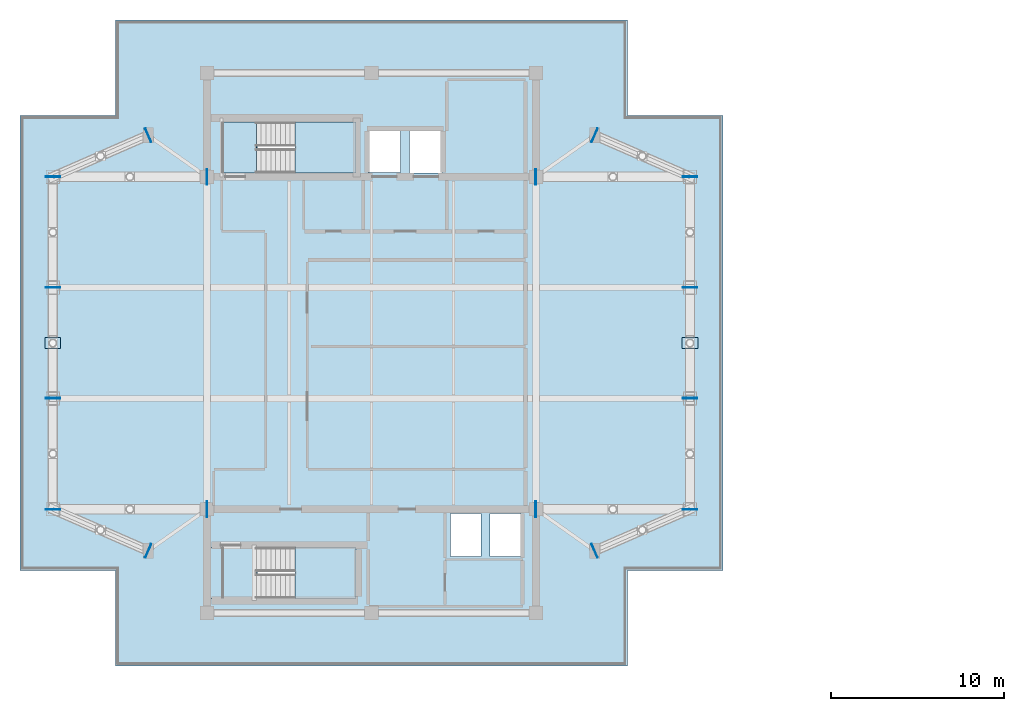
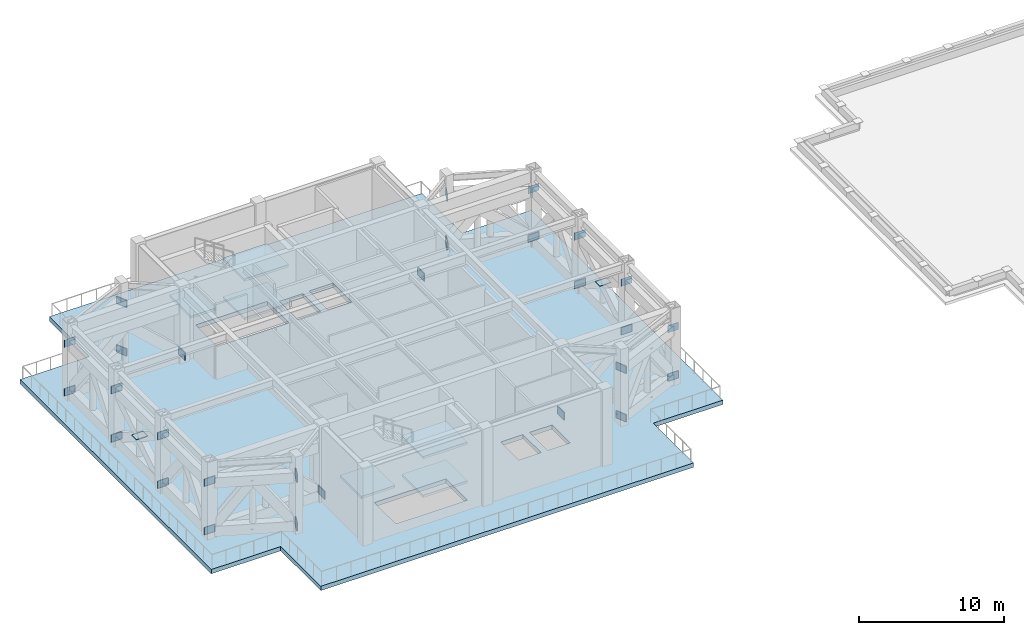
# One storey, part 4 of 11: 30 plates, 7 slabs, 2 elements without a shape of their own.
"""IFC4 building model written with IfcOpenShell, lengths in metres."""

from ifc_helpers import new_model, si_unit, direction, frame, origin, origin_2d, place, context, subcontext, project, spatial, polyline, rectangle, outline, extrude, material, layer, layer_set, type_object, element, aggregate, save


model = new_model("IFC4")

# Units and contexts
model_context = context("Model", 3, precision=1e-05, world=origin(), true_north=direction((0.0, 1.0)))
body_context = subcontext(model_context, "Body", "Model", "MODEL_VIEW")
ifc_project = project(units=[si_unit("LENGTHUNIT", "METRE"), si_unit("AREAUNIT", "SQUARE_METRE"), si_unit("VOLUMEUNIT", "CUBIC_METRE"), si_unit("PLANEANGLEUNIT", "RADIAN"), si_unit("MASSUNIT", "GRAM", prefix="KILO")], contexts=[model_context])

# Site, building, storey
site_placement = place(None, origin())
site = spatial("IfcSite", under=ifc_project, at=site_placement, CompositionType="ELEMENT")
building_placement = place(site_placement, origin())
building = spatial("IfcBuilding", under=site, at=building_placement, Name="Mirazonda Arch Towers", CompositionType="ELEMENT")
storey_placement = place(building_placement, frame((0.0, 0.0, 212.89990234375)))
storey = spatial("IfcBuildingStorey", under=building, at=storey_placement, Name="L61", CompositionType="ELEMENT", Elevation=212.89990234375)

# Plates
ifc_material_1 = material(Name="Steel ASTM A572 Grade 50", Category="steel")
ifc_layer_1 = layer(ifc_material_1, 0.035888671875, Name="PLATE-CAP-850x600x36")
ifc_layer_set_1 = layer_set([ifc_layer_1], Name="Steel ASTM A572 Grade 50")
plate_type_1 = type_object("IfcPlateType", Name="PLATE-CAP-850x600x36", PredefinedType="USERDEFINED", material=ifc_layer_set_1)
for number, where, z_axis, x_axis, name in (
    (1, (2.10009765625, 18.39208984375, 0.25), (0.0, 0.0, 1.0), (0.0, -1.0, 0.0), "Steel end closure plate NP-BLT-L61-T1-BC01A"),
    (2, (2.10009765625, 24.80810546875, 0.25), (0.0, 0.0, 1.0), (0.0, 1.0, 0.0), "Steel end closure plate NP-BLT-L61-T1-BC01B"),
    (3, (2.10009765625, 18.39208984375, 4.320068359375), (0.0, 0.0, 1.0), (0.0, -1.0, 0.0), "Steel end closure plate NP-BLT-L61-T1-TC01A"),
    (4, (2.10009765625, 24.80810546875, 4.320068359375), (0.0, 0.0, 1.0), (0.0, 1.0, 0.0), "Steel end closure plate NP-BLT-L61-T1-TC01B"),
    (5, (2.10009765625, 31.2080078125, 0.25), (0.0, 0.0, 1.0), (0.0, 1.0, 0.0), "Steel end closure plate NP-BLT-L61-T1-BC02B"),
    (6, (2.10009765625, 31.2080078125, 4.320068359375), (0.0, 0.0, 1.0), (0.0, 1.0, 0.0), "Steel end closure plate NP-BLT-L61-T1-TC02B"),
    (7, (2.10009765625, 37.60791015625, 0.25), (0.0, 0.0, 1.0), (0.0, 1.0, 0.0), "Steel end closure plate NP-BLT-L61-T1-BC03B"),
    (8, (2.10009765625, 37.60791015625, 4.320068359375), (0.0, 0.0, 1.0), (0.0, 1.0, 0.0), "Steel end closure plate NP-BLT-L61-T1-TC03B"),
    (9, (38.89990234375, 18.39208984375, 0.25), (0.0, 0.0, 1.0), (0.0, -1.0, 0.0), "Steel end closure plate NP-BLT-L61-T1-BC04A"),
    (10, (38.89990234375, 24.80810546875, 0.25), (0.0, 0.0, 1.0), (0.0, 1.0, 0.0), "Steel end closure plate NP-BLT-L61-T1-BC04B"),
    (11, (38.89990234375, 18.39208984375, 4.320068359375), (0.0, 0.0, 1.0), (0.0, -1.0, 0.0), "Steel end closure plate NP-BLT-L61-T1-TC04A"),
    (12, (38.89990234375, 24.80810546875, 4.320068359375), (0.0, 0.0, 1.0), (0.0, 1.0, 0.0), "Steel end closure plate NP-BLT-L61-T1-TC04B"),
    (13, (38.89990234375, 31.2080078125, 0.25), (0.0, 0.0, 1.0), (0.0, 1.0, 0.0), "Steel end closure plate NP-BLT-L61-T1-BC05B"),
    (14, (38.89990234375, 31.2080078125, 4.320068359375), (0.0, 0.0, 1.0), (0.0, 1.0, 0.0), "Steel end closure plate NP-BLT-L61-T1-TC05B"),
    (15, (38.89990234375, 37.60791015625, 0.25), (0.0, 0.0, 1.0), (0.0, 1.0, 0.0), "Steel end closure plate NP-BLT-L61-T1-BC06B"),
    (16, (38.89990234375, 37.60791015625, 4.320068359375), (0.0, 0.0, 1.0), (0.0, 1.0, 0.0), "Steel end closure plate NP-BLT-L61-T1-TC06B"),
    (17, (7.607421875, 15.996826171875, 0.25), (0.0, 0.0, 1.0), (0.916572226203, -0.399869171297, 0.0), "Steel end closure plate NP-BLT-L61-T1-BC07B"),
    (18, (7.607421875, 15.996826171875, 4.320068359375), (0.0, 0.0, 1.0), (0.916572226203, -0.399869171297, 0.0), "Steel end closure plate NP-BLT-L61-T1-TC07B"),
    (19, (33.392578125, 15.996826171875, 0.25), (0.0, 0.0, 1.0), (-0.916572226203, -0.399869171297, 0.0), "Steel end closure plate NP-BLT-L61-T1-BC08A"),
    (20, (33.392578125, 15.996826171875, 4.320068359375), (0.0, 0.0, 1.0), (-0.916572226203, -0.399869171297, 0.0), "Steel end closure plate NP-BLT-L61-T1-TC08A"),
    (21, (7.607421875, 40.003173828125, 0.25), (0.0, 0.0, 1.0), (0.916572226203, 0.399869171297, 0.0), "Steel end closure plate NP-BLT-L61-T1-BC09B"),
    (22, (7.607421875, 40.003173828125, 4.320068359375), (0.0, 0.0, 1.0), (0.916572226203, 0.399869171297, 0.0), "Steel end closure plate NP-BLT-L61-T1-TC09B"),
    (23, (33.392578125, 40.003173828125, 0.25), (0.0, 0.0, 1.0), (-0.916572226203, 0.399869171297, 0.0), "Steel end closure plate NP-BLT-L61-T1-BC10A"),
    (24, (33.392578125, 40.003173828125, 4.320068359375), (0.0, 0.0, 1.0), (-0.916572226203, 0.399869171297, 0.0), "Steel end closure plate NP-BLT-L61-T1-TC10A"),
):
    element("IfcPlate", number, at=place(storey_placement, frame(where, z_axis=z_axis, x_axis=x_axis)), inside=storey, type_object=plate_type_1, Name=name, ObjectType="CAP PLATE", PredefinedType="USERDEFINED", context=body_context, shape_type="SweptSolid", body=[
        extrude(rectangle(XDim=0.0400390625, YDim=0.85009765625, at=origin_2d()), origin(), (0.0, 0.0, 1.0), 0.60009765625),
    ])
ifc_layer_2 = layer(ifc_material_1, 0.031982421875, Name="PLATE-GUSSET-900x650x32")
ifc_layer_set_2 = layer_set([ifc_layer_2], Name="Steel ASTM A572 Grade 50")
plate_type_2 = type_object("IfcPlateType", Name="PLATE-GUSSET-900x650x32", PredefinedType="USERDEFINED", material=ifc_layer_set_2)
for number, where, z_axis, x_axis, name in (
    (25, (2.10009765625, 28.0, 2.572998046875), (0.0, 0.0, 1.0), (1.0, 0.0, 0.0), "Steel end closure plate NP-BLT-L61-T1-XND02"),
    (26, (38.89990234375, 28.0, 2.572998046875), (0.0, 0.0, 1.0), (1.0, 0.0, 0.0), "Steel end closure plate NP-BLT-L61-T1-XND05"),
):
    element("IfcPlate", number, at=place(storey_placement, frame(where, z_axis=z_axis, x_axis=x_axis)), inside=storey, type_object=plate_type_2, Name=name, ObjectType="GUSSET_PLATE", PredefinedType="USERDEFINED", context=body_context, shape_type="SweptSolid", body=[
        extrude(rectangle(XDim=0.89990234375, YDim=0.64990234375, at=origin_2d()), origin(), (0.0, 0.0, 1.0), 0.0400390625),
    ])
for number, where, z_axis, x_axis, name in (
    (27, (11.005859375, 18.39990234375, 0.2197265625), (0.0, 0.0, 1.0), (1.0, 0.0, 0.0), "Steel end closure plate NP-OUT-L61-T1-DG01B0"),
    (28, (29.994140625, 18.39990234375, 0.2197265625), (0.0, 0.0, 1.0), (-1.0, 0.0, 0.0), "Steel end closure plate NP-OUT-L61-T1-DG02A0"),
    (29, (11.005859375, 37.60009765625, 0.2197265625), (0.0, 0.0, 1.0), (1.0, 0.0, 0.0), "Steel end closure plate NP-OUT-L61-T1-DG03B0"),
    (30, (29.994140625, 37.60009765625, 0.2197265625), (0.0, 0.0, 1.0), (-1.0, 0.0, 0.0), "Steel end closure plate NP-OUT-L61-T1-DG04A0"),
):
    element("IfcPlate", number, at=place(storey_placement, frame(where, z_axis=z_axis, x_axis=x_axis)), inside=storey, type_object=plate_type_2, Name=name, ObjectType="GUSSET_PLATE", PredefinedType="USERDEFINED", context=body_context, shape_type="SweptSolid", body=[
        extrude(rectangle(XDim=0.0400390625, YDim=0.89990234375, at=origin_2d()), origin(), (0.0, 0.0, 1.0), 0.64990234375),
    ])

# Stair, slabs
ifc_material_2 = material(Name="Concrete C40/50", Category="concrete")
stair_type = type_object("IfcStairType", Name="STAIR-CORE-1400", PredefinedType="HALF_TURN_STAIR", material=ifc_material_2)
stair_1_placement = place(storey_placement, origin())
stair_1 = element("IfcStair", 31, at=stair_1_placement, inside=storey, type_object=stair_type, Name="L61 Protected Exit Stair ST-T1N", PredefinedType="HALF_TURN_STAIR")
ifc_layer_3 = layer(ifc_material_2, 0.18994140625, Name="SLAB-LANDING-190")
ifc_layer_set_3 = layer_set([ifc_layer_3], Name="Concrete C40/50")
slab_type_1 = type_object("IfcSlabType", Name="SLAB-LANDING-190", PredefinedType="LANDING", material=ifc_layer_set_3)
slab_1_placement = place(storey_placement, frame((0.0, 0.0, 1.425048828125)))
slab_1 = element("IfcSlab", 32, at=slab_1_placement, type_object=slab_type_1, Name="ST-T1N landing 1", PredefinedType="LANDING", context=body_context, shape_type="SweptSolid", body=[
    extrude(outline(polyline([(16.090087890625, 37.820068359375), (19.60009765625, 37.820068359375), (19.60009765625, 40.760009765625), (16.090087890625, 40.760009765625), (16.090087890625, 37.820068359375)])), origin(), (0.0, 0.0, 1.0), 0.199951171875),
])
slab_2_placement = place(storey_placement, frame((0.0, 0.0, 3.050048828125)))
slab_2 = element("IfcSlab", 33, at=slab_2_placement, type_object=slab_type_1, Name="ST-T1N landing 2", PredefinedType="LANDING", context=body_context, shape_type="SweptSolid", body=[
    extrude(outline(polyline([(11.85009765625, 37.820068359375), (13.85009765625, 37.820068359375), (13.85009765625, 40.760009765625), (11.85009765625, 40.760009765625), (11.85009765625, 37.820068359375)])), origin(), (0.0, 0.0, 1.0), 0.199951171875),
])
slab_3_placement = place(storey_placement, frame((0.0, 0.0, 4.675048828125)))
slab_3 = element("IfcSlab", 34, at=slab_3_placement, type_object=slab_type_1, Name="ST-T1N landing 3", PredefinedType="LANDING", context=body_context, shape_type="SweptSolid", body=[
    extrude(outline(polyline([(16.090087890625, 37.820068359375), (19.60009765625, 37.820068359375), (19.60009765625, 40.760009765625), (16.090087890625, 40.760009765625), (16.090087890625, 37.820068359375)])), origin(), (0.0, 0.0, 1.0), 0.199951171875),
])
aggregate(stair_1, [slab_1, slab_2, slab_3])

stair_2_placement = place(storey_placement, origin())
stair_2 = element("IfcStair", 35, at=stair_2_placement, inside=storey, type_object=stair_type, Name="L61 Protected Exit Stair ST-T1S", PredefinedType="HALF_TURN_STAIR")
slab_4_placement = place(storey_placement, frame((0.0, 0.0, 1.425048828125)))
slab_4 = element("IfcSlab", 36, at=slab_4_placement, type_object=slab_type_1, Name="ST-T1S landing 1", PredefinedType="LANDING", context=body_context, shape_type="SweptSolid", body=[
    extrude(outline(polyline([(16.090087890625, 13.25), (19.60009765625, 13.25), (19.60009765625, 16.18994140625), (16.090087890625, 16.18994140625), (16.090087890625, 13.25)])), origin(), (0.0, 0.0, 1.0), 0.199951171875),
])
slab_5_placement = place(storey_placement, frame((0.0, 0.0, 3.050048828125)))
slab_5 = element("IfcSlab", 37, at=slab_5_placement, type_object=slab_type_1, Name="ST-T1S landing 2", PredefinedType="LANDING", context=body_context, shape_type="SweptSolid", body=[
    extrude(outline(polyline([(11.179931640625, 13.25), (13.85009765625, 13.25), (13.85009765625, 16.18994140625), (11.179931640625, 16.18994140625), (11.179931640625, 13.25)])), origin(), (0.0, 0.0, 1.0), 0.199951171875),
])
slab_6_placement = place(storey_placement, frame((0.0, 0.0, 4.675048828125)))
slab_6 = element("IfcSlab", 38, at=slab_6_placement, type_object=slab_type_1, Name="ST-T1S landing 3", PredefinedType="LANDING", context=body_context, shape_type="SweptSolid", body=[
    extrude(outline(polyline([(16.090087890625, 13.25), (19.60009765625, 13.25), (19.60009765625, 16.18994140625), (16.090087890625, 16.18994140625), (16.090087890625, 13.25)])), origin(), (0.0, 0.0, 1.0), 0.199951171875),
])
aggregate(stair_2, [slab_4, slab_5, slab_6])

# Slab
ifc_material_3 = material(Name="Concrete C50/60", Category="concrete")
ifc_layer_4 = layer(ifc_material_3, 0.360107421875, Name="SLAB-PORTAL-360")
ifc_layer_set_4 = layer_set([ifc_layer_4], Name="Concrete C50/60")
slab_type_2 = type_object("IfcSlabType", Name="SLAB-PORTAL-360", PredefinedType="FLOOR", material=ifc_layer_set_4)
slab_7_placement = place(storey_placement, frame((0.0, 0.0, -0.35986328125)))
element("IfcSlab", 39, at=slab_7_placement, inside=storey, type_object=slab_type_2, Name="L61 Tower 1 Wind-Portal Deck Slab", PredefinedType="FLOOR", context=body_context, shape_type="SweptSolid", body=[
    extrude(outline(polyline([(5.7099609375, 9.340087890625), (35.2900390625, 9.340087890625), (35.2900390625, 14.85009765625), (40.800048828125, 14.85009765625), (40.800048828125, 41.14990234375), (35.2900390625, 41.14990234375), (35.2900390625, 46.659912109375), (5.7099609375, 46.659912109375), (5.7099609375, 41.14990234375), (0.199951171875, 41.14990234375), (0.199951171875, 14.85009765625), (5.7099609375, 14.85009765625), (5.7099609375, 9.340087890625)]), holes=[polyline([(27.360107421875, 18.139892578125), (29.139892578125, 18.139892578125), (29.139892578125, 15.659912109375), (27.360107421875, 15.659912109375), (27.360107421875, 18.139892578125)]), polyline([(25.06005859375, 18.139892578125), (26.840087890625, 18.139892578125), (26.840087890625, 15.659912109375), (25.06005859375, 15.659912109375), (25.06005859375, 18.139892578125)]), polyline([(22.7099609375, 40.389892578125), (24.590087890625, 40.389892578125), (24.590087890625, 37.81005859375), (22.7099609375, 37.81005859375), (22.7099609375, 40.389892578125)]), polyline([(20.31005859375, 37.860107421875), (20.31005859375, 40.340087890625), (22.18994140625, 40.340087890625), (22.18994140625, 37.860107421875), (20.31005859375, 37.860107421875)]), polyline([(19.60009765625, 13.25), (13.925048828125, 13.25), (13.925048828125, 16.18994140625), (19.60009765625, 16.18994140625), (19.60009765625, 13.25)]), polyline([(13.925048828125, 37.820068359375), (13.925048828125, 40.760009765625), (19.60009765625, 40.760009765625), (19.60009765625, 37.820068359375), (13.925048828125, 37.820068359375)])]), origin(), (0.0, 0.0, 1.0), 0.35986328125),
])

save(model, "model.ifc")
